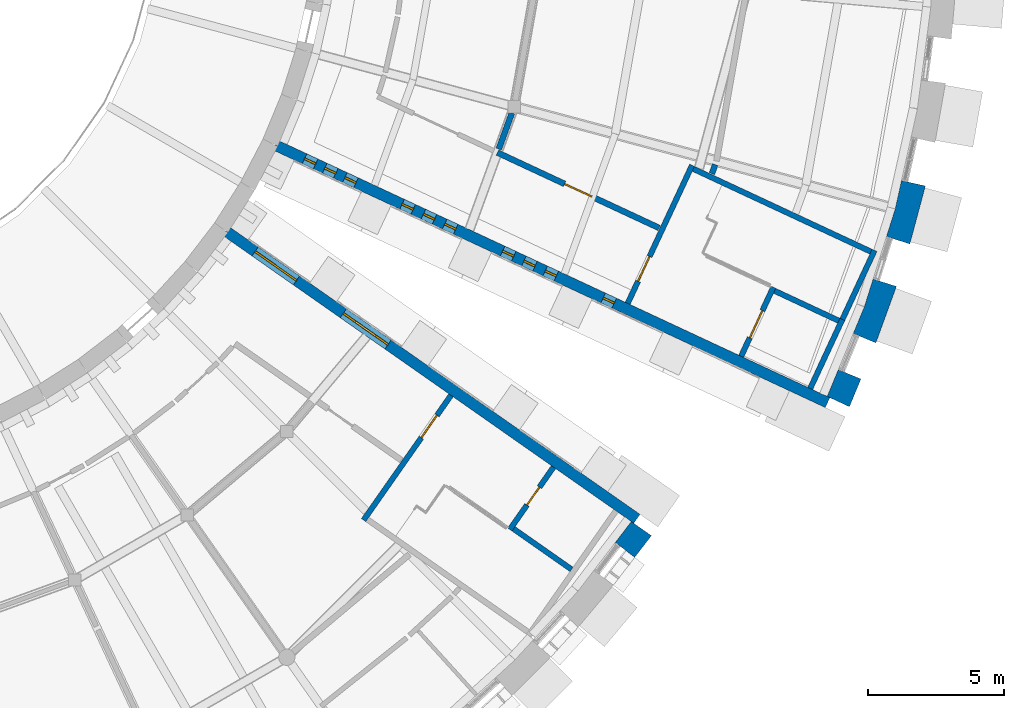
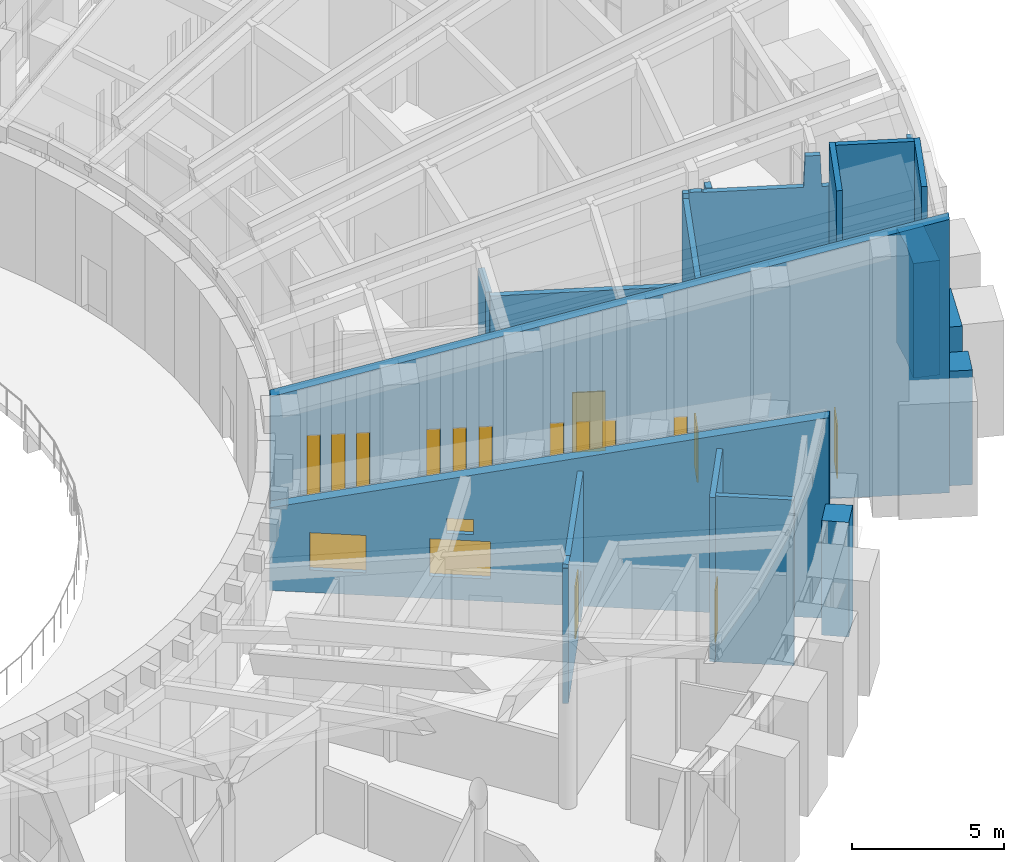
# One storey, part 28 of 50: 18 walls, 13 windows, 5 doors, 18 openings.
"""IFC4 building model written with IfcOpenShell, lengths in metres."""

from ifc_helpers import new_model, si_unit, direction, frame, frame_2d, origin, place, context, subcontext, project, spatial, polyline, rectangle, outline, extrude, material, layer, layer_set, type_object, element, fill, save


model = new_model("IFC4")

# Units and contexts
model_context = context("Model", 3, precision=1e-05, world=origin(), true_north=direction((0.0, 1.0)))
body_context = subcontext(model_context, "Body", "Model", "MODEL_VIEW")
ifc_project = project(units=[si_unit("LENGTHUNIT", "METRE"), si_unit("AREAUNIT", "SQUARE_METRE"), si_unit("VOLUMEUNIT", "CUBIC_METRE"), si_unit("PLANEANGLEUNIT", "RADIAN"), si_unit("MASSUNIT", "GRAM", prefix="KILO")], contexts=[model_context])

# Site, building, storey
site_placement = place(None, origin())
site = spatial("IfcSite", under=ifc_project, at=site_placement, CompositionType="ELEMENT")
building_placement = place(site_placement, origin())
building = spatial("IfcBuilding", under=site, at=building_placement, Name="Volute Hill Aquarium", CompositionType="ELEMENT")
storey_placement = place(building_placement, frame((0.0, 0.0, 9.199951171875)))
storey = spatial("IfcBuildingStorey", under=building, at=storey_placement, Name="L03", CompositionType="ELEMENT", Elevation=9.199951171875)

# Wall, opening, door
ifc_material_1 = material(Name="Concrete C30/37", Category="concrete")
ifc_layer_1 = layer(ifc_material_1, 0.199951171875)
ifc_layer_set_1 = layer_set([ifc_layer_1], Name="Core wall 200 REI 60")
wall_type_1 = type_object("IfcWallType", Name="Core wall 200 REI 60", PredefinedType="SHEAR", material=ifc_layer_set_1)
wall_1_placement = place(storey_placement, frame((25.40185546875, -18.03076171875, 0.0), z_axis=(0.0, 0.0, 1.0), x_axis=(-0.573599855614, -0.819135645446, 0.0)))
wall_1 = element("IfcWall", 1, at=wall_1_placement, inside=storey, type_object=wall_type_1, Name="wc/S3-B/L03/in", PredefinedType="SHEAR", context=body_context, shape_type="SweptSolid", body=[
    extrude(outline(polyline([(0.0, 0.0), (5.60009765625, 0.0), (5.60009765625, 5.4150390625), (5.574951171875, 5.4150390625), (5.52490234375, 5.532470703125), (5.02490234375, 5.532470703125), (4.97509765625, 5.4150390625), (0.0, 5.4150390625), (0.0, 0.0)])), frame((0.0, 0.10009765625, 0.0), z_axis=(0.0, -1.0, 0.0), x_axis=(1.0, 0.0, 0.0)), (0.0, 0.0, 1.0), 0.199951171875),
])
opening_1_placement = place(wall_1_placement, frame((0.89990234375, 0.0, 0.0)))
opening_1 = element("IfcOpeningElement", 2, at=opening_1_placement, cuts=wall_1, Name="Opening D3.03.BS", PredefinedType="OPENING", context=body_context, shape_type="SweptSolid", body=[
    extrude(rectangle(XDim=1.0, YDim=2.10009765625, at=frame_2d((0.5, 1.050048828125))), frame((0.0, 0.10986328125, 0.0), z_axis=(0.0, -1.0, 0.0), x_axis=(1.0, 0.0, 0.0)), (0.0, 0.0, 1.0), 0.219970703125),
])
ifc_material_2 = material(Name="Timber, fire-rated", Category="wood")
door_type_1 = type_object("IfcDoorType", Name="Door 1000 x 2100 single EI1 30", OperationType="SINGLE_SWING_LEFT", PredefinedType="DOOR", material=ifc_material_2)
door_1_placement = place(opening_1_placement, origin())
door_1 = element("IfcDoor", 3, at=door_1_placement, inside=storey, type_object=door_type_1, Name="d/S3-B/L03/st", OperationType="SINGLE_SWING_RIGHT", OverallHeight=2.10009765625, OverallWidth=1.0, PredefinedType="DOOR", context=body_context, shape_type="SweptSolid", body=[
    extrude(rectangle(XDim=1.0, YDim=2.10009765625, at=frame_2d((0.5, 1.050048828125))), frame((0.0, 0.02490234375, 0.0), z_axis=(0.0, -1.0, 0.0), x_axis=(1.0, 0.0, 0.0)), (0.0, 0.0, 1.0), 0.050048828125),
])
fill(opening_1, door_1)

wall_2_placement = place(storey_placement, frame((31.89599609375, -14.652587890625, 0.0), z_axis=(0.0, 0.0, 1.0), x_axis=(0.422632457081, 0.906301167505, 0.0)))
wall_2 = element("IfcWall", 4, at=wall_2_placement, inside=storey, type_object=wall_type_1, Name="wc/S4-A/L03/in", PredefinedType="SHEAR", context=body_context, shape_type="SweptSolid", body=[
    extrude(outline(polyline([(0.0, 0.0), (5.599853515625, 0.0), (5.60009765625, 8.33056640625), (5.550048828125, 8.5009765625), (5.35009765625, 8.5009765625), (5.300048828125, 8.33056640625), (0.0, 8.33056640625), (0.0, 0.0)])), frame((0.0, 0.10009765625, 0.0), z_axis=(0.0, -1.0, 0.0), x_axis=(1.0, 0.0, 0.0)), (0.0, 0.0, 1.0), 0.199951171875),
])
opening_2_placement = place(wall_2_placement, frame((0.89990234375, 0.0, 0.0)))
opening_2 = element("IfcOpeningElement", 5, at=opening_2_placement, cuts=wall_2, Name="Opening D4.03.AS", PredefinedType="OPENING", context=body_context, shape_type="SweptSolid", body=[
    extrude(rectangle(XDim=1.0, YDim=2.10009765625, at=frame_2d((0.5, 1.050048828125))), frame((0.0, 0.10986328125, 0.0), z_axis=(0.0, -1.0, 0.0), x_axis=(1.0, 0.0, 0.0)), (0.0, 0.0, 1.0), 0.219970703125),
])
door_2_placement = place(opening_2_placement, origin())
door_2 = element("IfcDoor", 6, at=door_2_placement, inside=storey, type_object=door_type_1, Name="d/S4-A/L03/st", OperationType="SINGLE_SWING_RIGHT", OverallHeight=2.10009765625, OverallWidth=1.0, PredefinedType="DOOR", context=body_context, shape_type="SweptSolid", body=[
    extrude(rectangle(XDim=1.0, YDim=2.10009765625, at=frame_2d((0.5, 1.050048828125))), frame((0.0, 0.02490234375, 0.0), z_axis=(0.0, -1.0, 0.0), x_axis=(1.0, 0.0, 0.0)), (0.0, 0.0, 1.0), 0.050048828125),
])
fill(opening_2, door_2)

# Walls
wall_3_placement = place(storey_placement, frame((34.31103515625, -9.710205078125, 0.0), z_axis=(0.0, 0.0, 1.0), x_axis=(0.906300917592, -0.422632992999, 0.0)))
element("IfcWall", 7, at=wall_3_placement, inside=storey, type_object=wall_type_1, Name="wc/S4-A/L03/side", PredefinedType="SHEAR", context=body_context, shape_type="SweptSolid", body=[
    extrude(outline(polyline([(0.0, 0.0), (7.199951171875, 0.0), (7.199951171875, 8.47412109375), (4.392578125, 8.47412109375), (4.342529296875, 9.72509765625), (3.842529296875, 9.72509765625), (3.79248046875, 8.47412109375), (0.477294921875, 8.47412109375), (0.42724609375, 8.5009765625), (0.050048828125, 8.5009765625), (0.0, 8.47412109375), (0.0, 0.0)])), frame((0.0, 0.10009765625, 0.0), z_axis=(0.0, -1.0, 0.0), x_axis=(1.0, 0.0, 0.0)), (0.0, 0.0, 1.0), 0.199951171875),
])
wall_4_placement = place(storey_placement, frame((39.785888671875, -15.242431640625, 0.0), z_axis=(0.0, 0.0, 1.0), x_axis=(0.422599061068, 0.90631674021, 0.0)))
element("IfcWall", 8, at=wall_4_placement, inside=storey, type_object=wall_type_1, Name="wc/S4-A/L03/out-b", PredefinedType="SHEAR", context=body_context, shape_type="SweptSolid", body=[
    extrude(rectangle(XDim=2.80029296875, YDim=0.199951171875, at=frame_2d((1.400146484375, 0.0))), origin(), (0.0, 0.0, 1.0), 10.260009765625),
])

# Wall, openings, windows
ifc_material_3 = material(Name="Concrete C35/45", Category="concrete")
ifc_layer_2 = layer(ifc_material_3, 0.39990234375)
ifc_layer_set_2 = layer_set([ifc_layer_2], Name="End wall 400 C35/45")
wall_type_2 = type_object("IfcWallType", Name="End wall 400 C35/45", PredefinedType="SHEAR", material=ifc_layer_set_2)
wall_5_placement = place(storey_placement, frame((17.120361328125, -11.98779296875, 0.0), z_axis=(0.0, 0.0, 1.0), x_axis=(0.819149852352, -0.573579566749, 0.0)))
wall_5 = element("IfcWall", 9, at=wall_5_placement, inside=storey, type_object=wall_type_2, Name="sw/S3/L03/endB", PredefinedType="SHEAR", context=body_context, shape_type="SweptSolid", body=[
    extrude(outline(polyline([(0.0, 0.0), (18.449951171875, 0.0), (18.449951171875, 8.059326171875), (16.143798828125, 7.466552734375), (13.83740234375, 6.87353515625), (11.53125, 6.28076171875), (9.22509765625, 5.687744140625), (6.918701171875, 5.094970703125), (4.612548828125, 4.501953125), (2.306396484375, 3.908935546875), (0.0, 3.316162109375), (0.0, 0.0)])), frame((0.0, 0.199951171875, 0.0), z_axis=(0.0, -1.0, 0.0), x_axis=(1.0, 0.0, 0.0)), (0.0, 0.0, 1.0), 0.39990234375),
])
opening_3_placement = place(wall_5_placement, frame((1.320068359375, 0.0, 0.89990234375)))
opening_3 = element("IfcOpeningElement", 10, at=opening_3_placement, cuts=wall_5, Name="Opening W9", PredefinedType="OPENING", context=body_context, shape_type="SweptSolid", body=[
    extrude(rectangle(XDim=1.857421875, YDim=1.5, at=frame_2d((0.9287109375, 0.75))), frame((0.0, 0.2099609375, 0.0), z_axis=(0.0, -1.0, 0.0), x_axis=(1.0, 0.0, 0.0)), (0.0, 0.0, 1.0), 0.419921875),
])
opening_4_placement = place(wall_5_placement, frame((5.277587890625, 0.0, 0.89990234375)))
opening_4 = element("IfcOpeningElement", 11, at=opening_4_placement, cuts=wall_5, Name="Opening W11", PredefinedType="OPENING", context=body_context, shape_type="SweptSolid", body=[
    extrude(rectangle(XDim=2.007568359375, YDim=1.5, at=frame_2d((1.00390625, 0.75))), frame((0.0, 0.2099609375, 0.0), z_axis=(0.0, -1.0, 0.0), x_axis=(1.0, 0.0, 0.0)), (0.0, 0.0, 1.0), 0.419921875),
])
opening_5_placement = place(wall_5_placement, frame((5.831298828125, 0.0, 2.64990234375)))
opening_5 = element("IfcOpeningElement", 12, at=opening_5_placement, cuts=wall_5, Name="Opening W10", PredefinedType="OPENING", context=body_context, shape_type="SweptSolid", body=[
    extrude(rectangle(XDim=0.89990234375, YDim=0.60009765625, at=frame_2d((0.449951171875, 0.300048828125))), frame((0.0, 0.2099609375, 0.0), z_axis=(0.0, -1.0, 0.0), x_axis=(1.0, 0.0, 0.0)), (0.0, 0.0, 1.0), 0.419921875),
])
ifc_material_4 = material(Name="Aluminium and glass", Category="aluminium")
window_type_1 = type_object("IfcWindowType", Name="End wall window 1857x1500", PartitioningType="SINGLE_PANEL", PredefinedType="WINDOW", material=ifc_material_4)
window_1_placement = place(opening_3_placement, origin())
window_1 = element("IfcWindow", 13, at=window_1_placement, inside=storey, type_object=window_type_1, Name="End wall window S3B L03 1.1", OverallHeight=1.5, OverallWidth=1.857421875, PartitioningType="SINGLE_PANEL", PredefinedType="WINDOW", context=body_context, shape_type="SweptSolid", body=[
    extrude(rectangle(XDim=1.857421875, YDim=1.5, at=frame_2d((0.9287109375, 0.75))), frame((0.0, 0.030029296875, 0.0), z_axis=(0.0, -1.0, 0.0), x_axis=(1.0, 0.0, 0.0)), (0.0, 0.0, 1.0), 0.06005859375),
])
fill(opening_3, window_1)
ifc_material_5 = material(Name="Aluminium and glass", Category="aluminium")
window_type_2 = type_object("IfcWindowType", Name="End wall window 2007x1500", PartitioningType="SINGLE_PANEL", PredefinedType="WINDOW", material=ifc_material_5)
window_2_placement = place(opening_4_placement, origin())
window_2 = element("IfcWindow", 14, at=window_2_placement, inside=storey, type_object=window_type_2, Name="End wall window S3B L03 2.1", OverallHeight=1.5, OverallWidth=2.007568359375, PartitioningType="SINGLE_PANEL", PredefinedType="WINDOW", context=body_context, shape_type="SweptSolid", body=[
    extrude(rectangle(XDim=2.007568359375, YDim=1.5, at=frame_2d((1.00390625, 0.75))), frame((0.0, 0.030029296875, 0.0), z_axis=(0.0, -1.0, 0.0), x_axis=(1.0, 0.0, 0.0)), (0.0, 0.0, 1.0), 0.06005859375),
])
fill(opening_4, window_2)
ifc_material_6 = material(Name="Aluminium and glass", Category="aluminium")
window_type_3 = type_object("IfcWindowType", Name="End wall window 900x600", PartitioningType="SINGLE_PANEL", PredefinedType="WINDOW", material=ifc_material_6)
window_3_placement = place(opening_5_placement, origin())
window_3 = element("IfcWindow", 15, at=window_3_placement, inside=storey, type_object=window_type_3, Name="End wall window S3B L03 2.2", OverallHeight=0.60009765625, OverallWidth=0.89990234375, PartitioningType="SINGLE_PANEL", PredefinedType="WINDOW", context=body_context, shape_type="SweptSolid", body=[
    extrude(rectangle(XDim=0.89990234375, YDim=0.60009765625, at=frame_2d((0.449951171875, 0.300048828125))), frame((0.0, 0.030029296875, 0.0), z_axis=(0.0, -1.0, 0.0), x_axis=(1.0, 0.0, 0.0)), (0.0, 0.0, 1.0), 0.06005859375),
])
fill(opening_5, window_3)

wall_6_placement = place(storey_placement, frame((18.94189453125, -8.832763671875, 0.0), z_axis=(0.0, 0.0, 1.0), x_axis=(0.906309235651, -0.422615155162, 0.0)))
wall_6 = element("IfcWall", 16, at=wall_6_placement, inside=storey, type_object=wall_type_2, Name="sw/S4/L03/endA", PredefinedType="SHEAR", context=body_context, shape_type="SweptSolid", body=[
    extrude(outline(polyline([(0.0, 0.0), (22.39990234375, 0.0), (22.39990234375, 10.974853515625), (19.60009765625, 10.2548828125), (16.800048828125, 9.53515625), (14.0, 8.8154296875), (11.199951171875, 8.095458984375), (8.39990234375, 7.375732421875), (5.60009765625, 6.65576171875), (2.800048828125, 5.93603515625), (0.0, 5.216064453125), (0.0, 0.0)])), frame((0.0, 0.199951171875, 0.0), z_axis=(0.0, -1.0, 0.0), x_axis=(1.0, 0.0, 0.0)), (0.0, 0.0, 1.0), 0.39990234375),
])
opening_6_placement = place(wall_6_placement, frame((1.190185546875, 0.0, 0.89990234375)))
opening_6 = element("IfcOpeningElement", 17, at=opening_6_placement, cuts=wall_6, Name="Opening W12", PredefinedType="OPENING", context=body_context, shape_type="SweptSolid", body=[
    extrude(rectangle(XDim=0.449951171875, YDim=2.699951171875, at=frame_2d((0.22509765625, 1.35009765625))), frame((0.0, 0.2099609375, 0.0), z_axis=(0.0, -1.0, 0.0), x_axis=(1.0, 0.0, 0.0)), (0.0, 0.0, 1.0), 0.419921875),
])
opening_7_placement = place(wall_6_placement, frame((2.008056640625, 0.0, 0.89990234375)))
opening_7 = element("IfcOpeningElement", 18, at=opening_7_placement, cuts=wall_6, Name="Opening W12", PredefinedType="OPENING", context=body_context, shape_type="SweptSolid", body=[
    extrude(rectangle(XDim=0.449951171875, YDim=2.699951171875, at=frame_2d((0.22509765625, 1.35009765625))), frame((0.0, 0.2099609375, 0.0), z_axis=(0.0, -1.0, 0.0), x_axis=(1.0, 0.0, 0.0)), (0.0, 0.0, 1.0), 0.419921875),
])
opening_8_placement = place(wall_6_placement, frame((2.825927734375, 0.0, 0.89990234375)))
opening_8 = element("IfcOpeningElement", 19, at=opening_8_placement, cuts=wall_6, Name="Opening W12", PredefinedType="OPENING", context=body_context, shape_type="SweptSolid", body=[
    extrude(rectangle(XDim=0.449951171875, YDim=2.699951171875, at=frame_2d((0.22509765625, 1.35009765625))), frame((0.0, 0.2099609375, 0.0), z_axis=(0.0, -1.0, 0.0), x_axis=(1.0, 0.0, 0.0)), (0.0, 0.0, 1.0), 0.419921875),
])
opening_9_placement = place(wall_6_placement, frame((5.146240234375, 0.0, 0.89990234375)))
opening_9 = element("IfcOpeningElement", 20, at=opening_9_placement, cuts=wall_6, Name="Opening W12", PredefinedType="OPENING", context=body_context, shape_type="SweptSolid", body=[
    extrude(rectangle(XDim=0.449951171875, YDim=2.699951171875, at=frame_2d((0.22509765625, 1.35009765625))), frame((0.0, 0.2099609375, 0.0), z_axis=(0.0, -1.0, 0.0), x_axis=(1.0, 0.0, 0.0)), (0.0, 0.0, 1.0), 0.419921875),
])
opening_10_placement = place(wall_6_placement, frame((6.009033203125, 0.0, 0.89990234375)))
opening_10 = element("IfcOpeningElement", 21, at=opening_10_placement, cuts=wall_6, Name="Opening W12", PredefinedType="OPENING", context=body_context, shape_type="SweptSolid", body=[
    extrude(rectangle(XDim=0.449951171875, YDim=2.699951171875, at=frame_2d((0.22509765625, 1.35009765625))), frame((0.0, 0.2099609375, 0.0), z_axis=(0.0, -1.0, 0.0), x_axis=(1.0, 0.0, 0.0)), (0.0, 0.0, 1.0), 0.419921875),
])
opening_11_placement = place(wall_6_placement, frame((6.871826171875, 0.0, 0.89990234375)))
opening_11 = element("IfcOpeningElement", 22, at=opening_11_placement, cuts=wall_6, Name="Opening W12", PredefinedType="OPENING", context=body_context, shape_type="SweptSolid", body=[
    extrude(rectangle(XDim=0.449951171875, YDim=2.699951171875, at=frame_2d((0.22509765625, 1.35009765625))), frame((0.0, 0.2099609375, 0.0), z_axis=(0.0, -1.0, 0.0), x_axis=(1.0, 0.0, 0.0)), (0.0, 0.0, 1.0), 0.419921875),
])
opening_12_placement = place(wall_6_placement, frame((9.22216796875, 0.0, 0.89990234375)))
opening_12 = element("IfcOpeningElement", 23, at=opening_12_placement, cuts=wall_6, Name="Opening W12", PredefinedType="OPENING", context=body_context, shape_type="SweptSolid", body=[
    extrude(rectangle(XDim=0.449951171875, YDim=2.699951171875, at=frame_2d((0.22509765625, 1.35009765625))), frame((0.0, 0.2099609375, 0.0), z_axis=(0.0, -1.0, 0.0), x_axis=(1.0, 0.0, 0.0)), (0.0, 0.0, 1.0), 0.419921875),
])
opening_13_placement = place(wall_6_placement, frame((10.0849609375, 0.0, 0.89990234375)))
opening_13 = element("IfcOpeningElement", 24, at=opening_13_placement, cuts=wall_6, Name="Opening W12", PredefinedType="OPENING", context=body_context, shape_type="SweptSolid", body=[
    extrude(rectangle(XDim=0.449951171875, YDim=2.699951171875, at=frame_2d((0.22509765625, 1.35009765625))), frame((0.0, 0.2099609375, 0.0), z_axis=(0.0, -1.0, 0.0), x_axis=(1.0, 0.0, 0.0)), (0.0, 0.0, 1.0), 0.419921875),
])
opening_14_placement = place(wall_6_placement, frame((10.94775390625, 0.0, 0.89990234375)))
opening_14 = element("IfcOpeningElement", 25, at=opening_14_placement, cuts=wall_6, Name="Opening W12", PredefinedType="OPENING", context=body_context, shape_type="SweptSolid", body=[
    extrude(rectangle(XDim=0.449951171875, YDim=2.699951171875, at=frame_2d((0.22509765625, 1.35009765625))), frame((0.0, 0.2099609375, 0.0), z_axis=(0.0, -1.0, 0.0), x_axis=(1.0, 0.0, 0.0)), (0.0, 0.0, 1.0), 0.419921875),
])
opening_15_placement = place(wall_6_placement, frame((13.29833984375, 0.0, 0.89990234375)))
opening_15 = element("IfcOpeningElement", 26, at=opening_15_placement, cuts=wall_6, Name="Opening W12", PredefinedType="OPENING", context=body_context, shape_type="SweptSolid", body=[
    extrude(rectangle(XDim=0.449951171875, YDim=2.699951171875, at=frame_2d((0.22509765625, 1.35009765625))), frame((0.0, 0.2099609375, 0.0), z_axis=(0.0, -1.0, 0.0), x_axis=(1.0, 0.0, 0.0)), (0.0, 0.0, 1.0), 0.419921875),
])
ifc_material_7 = material(Name="Aluminium and glass", Category="aluminium")
window_type_4 = type_object("IfcWindowType", Name="End wall window 450x2700", PartitioningType="SINGLE_PANEL", PredefinedType="WINDOW", material=ifc_material_7)
window_4_placement = place(opening_6_placement, origin())
window_4 = element("IfcWindow", 27, at=window_4_placement, inside=storey, type_object=window_type_4, Name="End wall window S4A L03 1.1", OverallHeight=2.699951171875, OverallWidth=0.449951171875, PartitioningType="SINGLE_PANEL", PredefinedType="WINDOW", context=body_context, shape_type="SweptSolid", body=[
    extrude(rectangle(XDim=0.449951171875, YDim=2.699951171875, at=frame_2d((0.22509765625, 1.35009765625))), frame((0.0, 0.030029296875, 0.0), z_axis=(0.0, -1.0, 0.0), x_axis=(1.0, 0.0, 0.0)), (0.0, 0.0, 1.0), 0.06005859375),
])
fill(opening_6, window_4)
window_5_placement = place(opening_7_placement, origin())
window_5 = element("IfcWindow", 28, at=window_5_placement, inside=storey, type_object=window_type_4, Name="End wall window S4A L03 1.2", OverallHeight=2.699951171875, OverallWidth=0.449951171875, PartitioningType="SINGLE_PANEL", PredefinedType="WINDOW", context=body_context, shape_type="SweptSolid", body=[
    extrude(rectangle(XDim=0.449951171875, YDim=2.699951171875, at=frame_2d((0.22509765625, 1.35009765625))), frame((0.0, 0.030029296875, 0.0), z_axis=(0.0, -1.0, 0.0), x_axis=(1.0, 0.0, 0.0)), (0.0, 0.0, 1.0), 0.06005859375),
])
fill(opening_7, window_5)
window_6_placement = place(opening_8_placement, origin())
window_6 = element("IfcWindow", 29, at=window_6_placement, inside=storey, type_object=window_type_4, Name="End wall window S4A L03 1.3", OverallHeight=2.699951171875, OverallWidth=0.449951171875, PartitioningType="SINGLE_PANEL", PredefinedType="WINDOW", context=body_context, shape_type="SweptSolid", body=[
    extrude(rectangle(XDim=0.449951171875, YDim=2.699951171875, at=frame_2d((0.22509765625, 1.35009765625))), frame((0.0, 0.030029296875, 0.0), z_axis=(0.0, -1.0, 0.0), x_axis=(1.0, 0.0, 0.0)), (0.0, 0.0, 1.0), 0.06005859375),
])
fill(opening_8, window_6)
window_7_placement = place(opening_9_placement, origin())
window_7 = element("IfcWindow", 30, at=window_7_placement, inside=storey, type_object=window_type_4, Name="End wall window S4A L03 2.1", OverallHeight=2.699951171875, OverallWidth=0.449951171875, PartitioningType="SINGLE_PANEL", PredefinedType="WINDOW", context=body_context, shape_type="SweptSolid", body=[
    extrude(rectangle(XDim=0.449951171875, YDim=2.699951171875, at=frame_2d((0.22509765625, 1.35009765625))), frame((0.0, 0.030029296875, 0.0), z_axis=(0.0, -1.0, 0.0), x_axis=(1.0, 0.0, 0.0)), (0.0, 0.0, 1.0), 0.06005859375),
])
fill(opening_9, window_7)
window_8_placement = place(opening_10_placement, origin())
window_8 = element("IfcWindow", 31, at=window_8_placement, inside=storey, type_object=window_type_4, Name="End wall window S4A L03 2.2", OverallHeight=2.699951171875, OverallWidth=0.449951171875, PartitioningType="SINGLE_PANEL", PredefinedType="WINDOW", context=body_context, shape_type="SweptSolid", body=[
    extrude(rectangle(XDim=0.449951171875, YDim=2.699951171875, at=frame_2d((0.22509765625, 1.35009765625))), frame((0.0, 0.030029296875, 0.0), z_axis=(0.0, -1.0, 0.0), x_axis=(1.0, 0.0, 0.0)), (0.0, 0.0, 1.0), 0.06005859375),
])
fill(opening_10, window_8)
window_9_placement = place(opening_11_placement, origin())
window_9 = element("IfcWindow", 32, at=window_9_placement, inside=storey, type_object=window_type_4, Name="End wall window S4A L03 2.3", OverallHeight=2.699951171875, OverallWidth=0.449951171875, PartitioningType="SINGLE_PANEL", PredefinedType="WINDOW", context=body_context, shape_type="SweptSolid", body=[
    extrude(rectangle(XDim=0.449951171875, YDim=2.699951171875, at=frame_2d((0.22509765625, 1.35009765625))), frame((0.0, 0.030029296875, 0.0), z_axis=(0.0, -1.0, 0.0), x_axis=(1.0, 0.0, 0.0)), (0.0, 0.0, 1.0), 0.06005859375),
])
fill(opening_11, window_9)
window_10_placement = place(opening_12_placement, origin())
window_10 = element("IfcWindow", 33, at=window_10_placement, inside=storey, type_object=window_type_4, Name="End wall window S4A L03 3.1", OverallHeight=2.699951171875, OverallWidth=0.449951171875, PartitioningType="SINGLE_PANEL", PredefinedType="WINDOW", context=body_context, shape_type="SweptSolid", body=[
    extrude(rectangle(XDim=0.449951171875, YDim=2.699951171875, at=frame_2d((0.22509765625, 1.35009765625))), frame((0.0, 0.030029296875, 0.0), z_axis=(0.0, -1.0, 0.0), x_axis=(1.0, 0.0, 0.0)), (0.0, 0.0, 1.0), 0.06005859375),
])
fill(opening_12, window_10)
window_11_placement = place(opening_13_placement, origin())
window_11 = element("IfcWindow", 34, at=window_11_placement, inside=storey, type_object=window_type_4, Name="End wall window S4A L03 3.2", OverallHeight=2.699951171875, OverallWidth=0.449951171875, PartitioningType="SINGLE_PANEL", PredefinedType="WINDOW", context=body_context, shape_type="SweptSolid", body=[
    extrude(rectangle(XDim=0.449951171875, YDim=2.699951171875, at=frame_2d((0.22509765625, 1.35009765625))), frame((0.0, 0.030029296875, 0.0), z_axis=(0.0, -1.0, 0.0), x_axis=(1.0, 0.0, 0.0)), (0.0, 0.0, 1.0), 0.06005859375),
])
fill(opening_13, window_11)
window_12_placement = place(opening_14_placement, origin())
window_12 = element("IfcWindow", 35, at=window_12_placement, inside=storey, type_object=window_type_4, Name="End wall window S4A L03 3.3", OverallHeight=2.699951171875, OverallWidth=0.449951171875, PartitioningType="SINGLE_PANEL", PredefinedType="WINDOW", context=body_context, shape_type="SweptSolid", body=[
    extrude(rectangle(XDim=0.449951171875, YDim=2.699951171875, at=frame_2d((0.22509765625, 1.35009765625))), frame((0.0, 0.030029296875, 0.0), z_axis=(0.0, -1.0, 0.0), x_axis=(1.0, 0.0, 0.0)), (0.0, 0.0, 1.0), 0.06005859375),
])
fill(opening_14, window_12)
window_13_placement = place(opening_15_placement, origin())
window_13 = element("IfcWindow", 36, at=window_13_placement, inside=storey, type_object=window_type_4, Name="End wall window S4A L03 4.1", OverallHeight=2.699951171875, OverallWidth=0.449951171875, PartitioningType="SINGLE_PANEL", PredefinedType="WINDOW", context=body_context, shape_type="SweptSolid", body=[
    extrude(rectangle(XDim=0.449951171875, YDim=2.699951171875, at=frame_2d((0.22509765625, 1.35009765625))), frame((0.0, 0.030029296875, 0.0), z_axis=(0.0, -1.0, 0.0), x_axis=(1.0, 0.0, 0.0)), (0.0, 0.0, 1.0), 0.06005859375),
])
fill(opening_15, window_13)

# Walls
ifc_material_8 = material(Name="Precast concrete C40/50", Category="concrete")
ifc_layer_3 = layer(ifc_material_8, 0.89990234375)
ifc_layer_set_3 = layer_set([ifc_layer_3], Name="Outer pier precast concrete C40/50 900")
wall_type_3 = type_object("IfcWallType", Name="Outer pier precast concrete C40/50 900", PredefinedType="NOTDEFINED", material=ifc_layer_set_3)
wall_7_placement = place(storey_placement, origin())
element("IfcWall", 37, at=wall_7_placement, inside=storey, type_object=wall_type_3, Name="Outer pier OWP S3 L03 11", PredefinedType="NOTDEFINED", context=body_context, shape_type="SweptSolid", body=[
    extrude(outline(polyline([(31.440673828125, -23.43896484375), (32.154541015625, -23.98681640625), (32.767333984375, -23.188232421875), (32.029541015625, -22.67138671875), (31.440673828125, -23.43896484375)])), origin(), (0.0, 0.0, 1.0), 4.60009765625),
])
wall_8_placement = place(storey_placement, origin())
element("IfcWall", 38, at=wall_8_placement, inside=storey, type_object=wall_type_3, Name="Outer pier OWP S4 L03 1", PredefinedType="NOTDEFINED", context=body_context, shape_type="SweptSolid", body=[
    extrude(outline(polyline([(39.228759765625, -18.072021484375), (40.045166015625, -18.45263671875), (40.468017578125, -17.431884765625), (39.636474609375, -17.08740234375), (39.228759765625, -18.072021484375)])), origin(), (0.0, 0.0, 1.0), 4.60009765625),
])
wall_9_placement = place(storey_placement, origin())
element("IfcWall", 39, at=wall_9_placement, inside=storey, type_object=wall_type_3, Name="Outer pier OWP S4 L03 2", PredefinedType="NOTDEFINED", context=body_context, shape_type="SweptSolid", body=[
    extrude(outline(polyline([(40.1865234375, -15.759765625), (41.01806640625, -16.10400390625), (41.773193359375, -14.029541015625), (40.914794921875, -13.7587890625), (40.59423828125, -14.775146484375), (40.1865234375, -15.759765625)])), origin(), (0.0, 0.0, 1.0), 4.60009765625),
])
wall_10_placement = place(storey_placement, origin())
element("IfcWall", 40, at=wall_10_placement, inside=storey, type_object=wall_type_3, Name="Outer pier OWP S4 L03 3", PredefinedType="NOTDEFINED", context=body_context, shape_type="SweptSolid", body=[
    extrude(outline(polyline([(41.4072265625, -12.197265625), (42.265625, -12.4677734375), (42.8369140625, -10.33544921875), (41.958251953125, -10.140625), (41.7275390625, -11.180908203125), (41.4072265625, -12.197265625)])), origin(), (0.0, 0.0, 1.0), 4.60009765625),
])

# Wall, opening, door
ifc_material_9 = material(Name="Masonry blockwork", Category="masonry")
ifc_layer_4 = layer(ifc_material_9, 0.215087890625)
ifc_layer_set_4 = layer_set([ifc_layer_4], Name="Plant room wall 215 EI 60")
wall_type_4 = type_object("IfcWallType", Name="Plant room wall 215 EI 60", PredefinedType="PARTITIONING", material=ifc_layer_set_4)
wall_11_placement = place(storey_placement, frame((27.109619140625, -9.110595703125, 0.0), z_axis=(0.0, 0.0, 1.0), x_axis=(0.906297375057, -0.422640589585, 0.0)))
wall_11 = element("IfcWall", 41, at=wall_11_placement, inside=storey, type_object=wall_type_4, Name="pw/S4/L03/004", PredefinedType="PARTITIONING", context=body_context, shape_type="SweptSolid", body=[
    extrude(rectangle(XDim=6.550048828125, YDim=0.215087890625, at=frame_2d((3.27490234375, 0.0))), origin(), (0.0, 0.0, 1.0), 6.50146484375),
])
opening_16_placement = place(wall_11_placement, frame((2.72509765625, 0.0, 0.0)))
opening_16 = element("IfcOpeningElement", 42, at=opening_16_placement, cuts=wall_11, Name="Opening D4.03.03", PredefinedType="OPENING", context=body_context, shape_type="SweptSolid", body=[
    extrude(rectangle(XDim=1.10009765625, YDim=2.39990234375, at=frame_2d((0.550048828125, 1.199951171875))), frame((0.0, 0.117431640625, 0.0), z_axis=(0.0, -1.0, 0.0), x_axis=(1.0, 0.0, 0.0)), (0.0, 0.0, 1.0), 0.235107421875),
])
ifc_material_10 = material(Name="Steel, fire-rated", Category="steel")
door_type_2 = type_object("IfcDoorType", Name="Door 1100 x 2400 plant room EI1 30", OperationType="SINGLE_SWING_LEFT", PredefinedType="DOOR", material=ifc_material_10)
door_3_placement = place(opening_16_placement, origin())
door_3 = element("IfcDoor", 43, at=door_3_placement, inside=storey, type_object=door_type_2, Name="d/S4/L03/03", OperationType="SINGLE_SWING_LEFT", OverallHeight=2.39990234375, OverallWidth=1.10009765625, PredefinedType="DOOR", context=body_context, shape_type="SweptSolid", body=[
    extrude(rectangle(XDim=1.10009765625, YDim=2.39990234375, at=frame_2d((0.550048828125, 1.199951171875))), frame((0.0, 0.02490234375, 0.0), z_axis=(0.0, -1.0, 0.0), x_axis=(1.0, 0.0, 0.0)), (0.0, 0.0, 1.0), 0.050048828125),
])
fill(opening_16, door_3)

# Walls
wall_12_placement = place(storey_placement, frame((27.64013671875, -7.6533203125, 0.0), z_axis=(0.0, 0.0, 1.0), x_axis=(-0.342020437038, -0.939692513883, 0.0)))
element("IfcWall", 44, at=wall_12_placement, inside=storey, type_object=wall_type_4, Name="pw/S4/L03/021", PredefinedType="PARTITIONING", context=body_context, shape_type="SweptSolid", body=[
    extrude(rectangle(XDim=1.413330078125, YDim=0.215087890625, at=frame_2d((0.70654296875, 0.0))), origin(), (0.0, 0.0, 1.0), 6.50146484375),
])
wall_13_placement = place(storey_placement, frame((35.11279296875, -9.55029296875, 0.0), z_axis=(0.0, 0.0, 1.0), x_axis=(-0.342294882289, -0.939592578493, 0.0)))
element("IfcWall", 45, at=wall_13_placement, inside=storey, type_object=wall_type_4, Name="pw/S4/L03/026", PredefinedType="PARTITIONING", context=body_context, shape_type="SweptSolid", body=[
    extrude(rectangle(XDim=0.355224609375, YDim=0.215087890625, at=frame_2d((0.177734375, 0.0))), origin(), (0.0, 0.0, 1.0), 8.48095703125),
])

# Wall, opening, door
ifc_material_11 = material(Name="Masonry blockwork", Category="masonry")
ifc_layer_5 = layer(ifc_material_11, 0.199951171875)
ifc_layer_set_5 = layer_set([ifc_layer_5], Name="Riser wall 200 EI 60")
wall_type_5 = type_object("IfcWallType", Name="Riser wall 200 EI 60", PredefinedType="SOLIDWALL", material=ifc_layer_set_5)
wall_14_placement = place(storey_placement, frame((29.169921875, -20.669189453125, 0.0), z_axis=(0.0, 0.0, 1.0), x_axis=(-0.573550118428, -0.819170471667, 0.0)))
wall_14 = element("IfcWall", 46, at=wall_14_placement, inside=storey, type_object=wall_type_5, Name="wc/S3-B/L03/front", PredefinedType="SOLIDWALL", context=body_context, shape_type="SweptSolid", body=[
    extrude(rectangle(XDim=2.800048828125, YDim=0.199951171875, at=frame_2d((1.39990234375, 0.0))), origin(), (0.0, 0.0, 1.0), 6.59765625),
])
opening_17_placement = place(wall_14_placement, frame((0.89990234375, 0.0, 0.0)))
opening_17 = element("IfcOpeningElement", 47, at=opening_17_placement, cuts=wall_14, Name="Opening D3.03.BR", PredefinedType="OPENING", context=body_context, shape_type="SweptSolid", body=[
    extrude(rectangle(XDim=0.800048828125, YDim=2.10009765625, at=frame_2d((0.39990234375, 1.050048828125))), frame((0.0, 0.10986328125, 0.0), z_axis=(0.0, -1.0, 0.0), x_axis=(1.0, 0.0, 0.0)), (0.0, 0.0, 1.0), 0.219970703125),
])
ifc_material_12 = material(Name="Steel, fire-rated", Category="steel")
door_type_3 = type_object("IfcDoorType", Name="Door 800 x 2100 riser EI1 30", OperationType="SINGLE_SWING_LEFT", PredefinedType="DOOR", material=ifc_material_12)
door_4_placement = place(opening_17_placement, origin())
door_4 = element("IfcDoor", 48, at=door_4_placement, inside=storey, type_object=door_type_3, Name="d/S3-B/L03/rs", OperationType="SINGLE_SWING_LEFT", OverallHeight=2.10009765625, OverallWidth=0.800048828125, PredefinedType="DOOR", context=body_context, shape_type="SweptSolid", body=[
    extrude(rectangle(XDim=0.800048828125, YDim=2.10009765625, at=frame_2d((0.39990234375, 1.050048828125))), frame((0.0, 0.02490234375, 0.0), z_axis=(0.0, -1.0, 0.0), x_axis=(1.0, 0.0, 0.0)), (0.0, 0.0, 1.0), 0.050048828125),
])
fill(opening_17, door_4)

# Walls
wall_15_placement = place(storey_placement, frame((27.703125, -22.938232421875, 0.0), z_axis=(0.0, 0.0, 1.0), x_axis=(0.819134863556, -0.573600972199, 0.0)))
element("IfcWall", 49, at=wall_15_placement, inside=storey, type_object=wall_type_5, Name="wc/S3-B/L03/shaft-side", PredefinedType="SOLIDWALL", context=body_context, shape_type="SweptSolid", body=[
    extrude(rectangle(XDim=2.60009765625, YDim=0.199951171875, at=frame_2d((1.300048828125, 0.0))), origin(), (0.0, 0.0, 1.0), 6.6533203125),
])
ifc_material_13 = material(Name="Concrete C30/37", Category="concrete")
ifc_layer_6 = layer(ifc_material_13, 0.199951171875)
ifc_layer_set_6 = layer_set([ifc_layer_6], Name="Shaft wall 200 EI 60")
wall_type_6 = type_object("IfcWallType", Name="Shaft wall 200 EI 60", PredefinedType="SOLIDWALL", material=ifc_layer_set_6)
wall_16_placement = place(storey_placement, frame((38.6025390625, -17.780029296875, 0.0), z_axis=(0.0, 0.0, 1.0), x_axis=(0.422632457081, 0.906301167505, 0.0)))
element("IfcWall", 50, at=wall_16_placement, inside=storey, type_object=wall_type_6, Name="wc/S4-A/L03/out-a", PredefinedType="SOLIDWALL", context=body_context, shape_type="SweptSolid", body=[
    extrude(rectangle(XDim=2.800048828125, YDim=0.199951171875, at=frame_2d((1.39990234375, 0.0))), origin(), (0.0, 0.0, 1.0), 12.06494140625),
])

# Wall, opening, door
wall_17_placement = place(storey_placement, frame((36.06494140625, -16.5966796875, 0.0), z_axis=(0.0, 0.0, 1.0), x_axis=(0.422632457081, 0.906301167505, 0.0)))
wall_17 = element("IfcWall", 51, at=wall_17_placement, inside=storey, type_object=wall_type_6, Name="wc/S4-A/L03/front", PredefinedType="SOLIDWALL", context=body_context, shape_type="SweptSolid", body=[
    extrude(rectangle(XDim=2.800048828125, YDim=0.199951171875, at=frame_2d((1.39990234375, 0.0))), origin(), (0.0, 0.0, 1.0), 12.06494140625),
])
opening_18_placement = place(wall_17_placement, frame((0.75, 0.0, 0.0)))
opening_18 = element("IfcOpeningElement", 52, at=opening_18_placement, cuts=wall_17, Name="Opening LD4.03.A", PredefinedType="OPENING", context=body_context, shape_type="SweptSolid", body=[
    extrude(rectangle(XDim=1.10009765625, YDim=2.10009765625, at=frame_2d((0.550048828125, 1.050048828125))), frame((0.0, 0.10986328125, 0.0), z_axis=(0.0, -1.0, 0.0), x_axis=(1.0, 0.0, 0.0)), (0.0, 0.0, 1.0), 0.219970703125),
])
ifc_material_14 = material(Name="Stainless steel", Category="steel")
door_type_4 = type_object("IfcDoorType", Name="Lift landing door 1100 x 2100", OperationType="SLIDING_TO_LEFT", PredefinedType="DOOR", material=ifc_material_14)
door_5_placement = place(opening_18_placement, origin())
door_5 = element("IfcDoor", 53, at=door_5_placement, inside=storey, type_object=door_type_4, Name="d/S4-A/L03/ld", OperationType="SLIDING_TO_LEFT", OverallHeight=2.10009765625, OverallWidth=1.10009765625, PredefinedType="DOOR", context=body_context, shape_type="SweptSolid", body=[
    extrude(rectangle(XDim=1.10009765625, YDim=2.10009765625, at=frame_2d((0.550048828125, 1.050048828125))), frame((0.0, 0.02490234375, 0.0), z_axis=(0.0, -1.0, 0.0), x_axis=(1.0, 0.0, 0.0)), (0.0, 0.0, 1.0), 0.050048828125),
])
fill(opening_18, door_5)

# Wall
wall_18_placement = place(storey_placement, frame((37.296630859375, -14.19189453125, 0.0), z_axis=(0.0, 0.0, 1.0), x_axis=(0.906300648467, -0.422633570115, 0.0)))
element("IfcWall", 54, at=wall_18_placement, inside=storey, type_object=wall_type_6, Name="wc/S4-A/L03/shaft-side", PredefinedType="SOLIDWALL", context=body_context, shape_type="SweptSolid", body=[
    extrude(rectangle(XDim=2.60009765625, YDim=0.199951171875, at=frame_2d((1.300048828125, 0.0))), origin(), (0.0, 0.0, 1.0), 12.06494140625),
])

save(model, "model.ifc")
